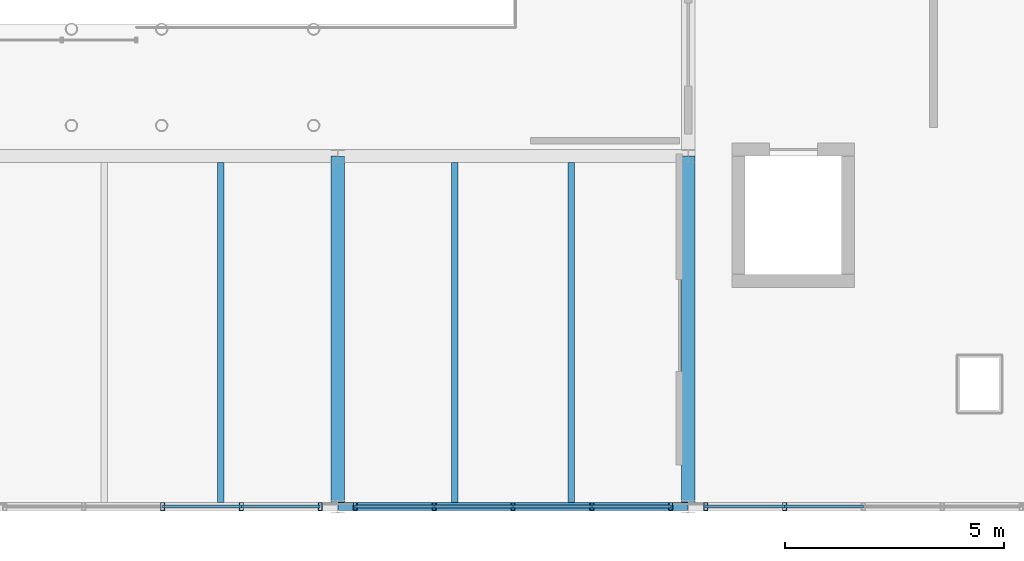
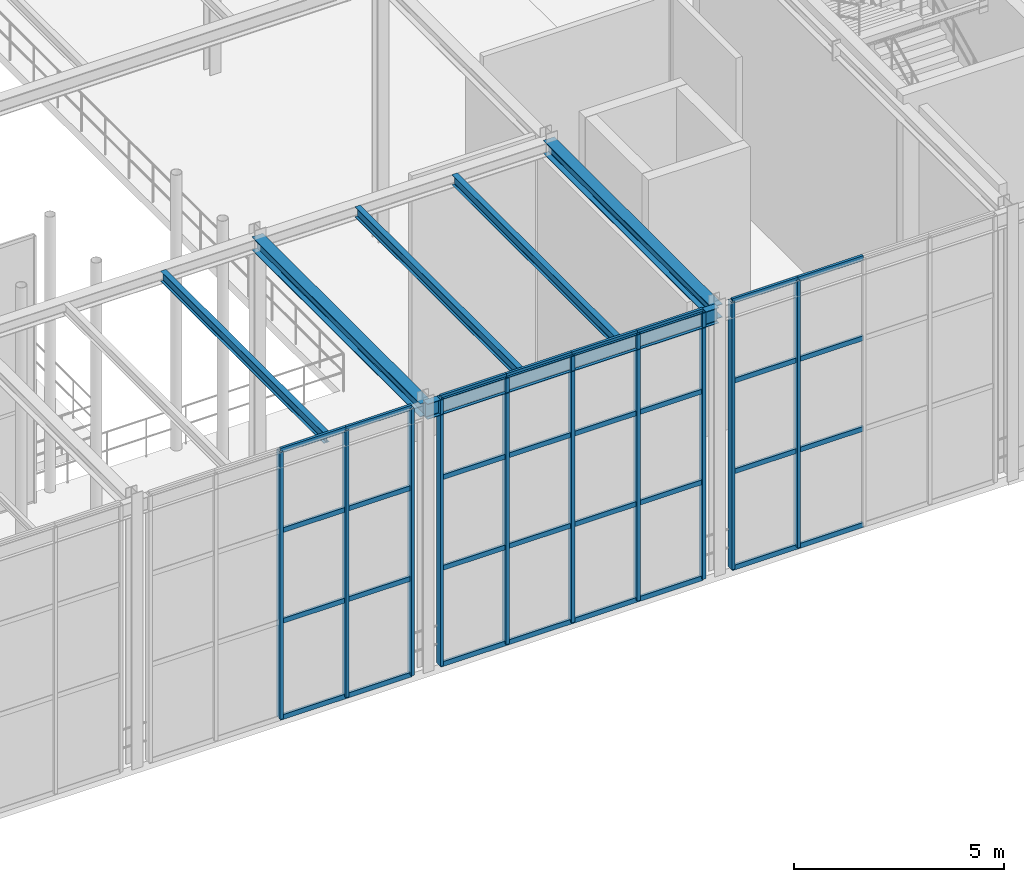
# One storey, part 42 of 138: 42 members, 6 beams, 3 elements without a shape of their own.
"""IFC4 building model written with IfcOpenShell, lengths in metres."""

from ifc_helpers import new_model, si_unit, direction, frame, origin, origin_2d, place, context, subcontext, project, spatial, hollow_rectangle, i_section, extrude, material, material_profile, profile_set, type_object, element, aggregate, save


model = new_model("IFC4")

# Units and contexts
model_context = context("Model", 3, precision=1e-05, world=origin(), true_north=direction((0.0, 1.0)))
body_context = subcontext(model_context, "Body", "Model", "MODEL_VIEW")
ifc_project = project(units=[si_unit("LENGTHUNIT", "METRE"), si_unit("AREAUNIT", "SQUARE_METRE"), si_unit("VOLUMEUNIT", "CUBIC_METRE"), si_unit("PLANEANGLEUNIT", "RADIAN"), si_unit("MASSUNIT", "GRAM", prefix="KILO")], contexts=[model_context])

# Site, building, storey
site_placement = place(None, origin())
site = spatial("IfcSite", under=ifc_project, at=site_placement, CompositionType="ELEMENT")
building_placement = place(site_placement, origin())
building = spatial("IfcBuilding", under=site, at=building_placement, Name="Sundkrona Museum", CompositionType="ELEMENT")
storey_placement = place(building_placement, frame((0.0, 0.0, 9.60009765625)))
storey = spatial("IfcBuildingStorey", under=building, at=storey_placement, Name="L02", CompositionType="ELEMENT", Elevation=9.60009765625)

# Beams
ifc_material_1 = material(Name="Steel S355J2", Category="steel")
ifc_material_profile_1 = material_profile(ifc_material_1, i_section(OverallWidth=0.300048828125, OverallDepth=0.389892578125, WebThickness=0.010986328125, FlangeThickness=0.01904296875, FilletRadius=0.027099609375, at=origin_2d()), Name="HEA 400")
ifc_profile_set_1 = profile_set([ifc_material_profile_1], Name="Steel S355J2")
beam_type_1 = type_object("IfcBeamType", Name="B-HEA400", PredefinedType="BEAM", material=ifc_profile_set_1)
for number, where, z_axis, x_axis, name in (
    (1, (104.0, 0.0, 7.544921875), (0.0, 1.0, 0.0), (-1.0, 0.0, 0.0), "L02 Girder Y-1319"),
    (2, (112.0, 0.0, 7.544921875), (0.0, 1.0, 0.0), (-1.0, 0.0, 0.0), "L02 Girder Y-1324"),
):
    element("IfcBeam", number, at=place(storey_placement, frame(where, z_axis=z_axis, x_axis=x_axis)), inside=storey, type_object=beam_type_1, Name=name, PredefinedType="BEAM", context=body_context, shape_type="SweptSolid", body=[
        extrude(i_section(OverallWidth=0.300048828125, OverallDepth=0.389892578125, WebThickness=0.010986328125, FlangeThickness=0.01904296875, FilletRadius=0.027099609375, at=origin_2d()), origin(), (0.0, 0.0, 1.0), 8.0),
    ])
ifc_material_profile_2 = material_profile(ifc_material_1, i_section(OverallWidth=0.14990234375, OverallDepth=0.300048828125, WebThickness=0.007080078125, FlangeThickness=0.0107421875, FilletRadius=0.014892578125, at=origin_2d()), Name="IPE 300")
ifc_profile_set_2 = profile_set([ifc_material_profile_2], Name="Steel S355J2")
beam_type_2 = type_object("IfcBeamType", Name="J-IPE300", PredefinedType="JOIST", material=ifc_profile_set_2)
for number, where, z_axis, x_axis, name in (
    (3, (101.333251953125, 0.089111328125, 7.58984375), (0.0, 1.0, 0.0), (-1.0, 0.0, 0.0), "L02 Composite Joist 0844"),
    (4, (106.666748046875, 0.089111328125, 7.58984375), (0.0, 1.0, 0.0), (-1.0, 0.0, 0.0), "L02 Composite Joist 0847"),
    (5, (109.333251953125, 0.089111328125, 7.58984375), (0.0, 1.0, 0.0), (-1.0, 0.0, 0.0), "L02 Composite Joist 0848"),
):
    element("IfcBeam", number, at=place(storey_placement, frame(where, z_axis=z_axis, x_axis=x_axis)), inside=storey, type_object=beam_type_2, Name=name, PredefinedType="JOIST", context=body_context, shape_type="SweptSolid", body=[
        extrude(i_section(OverallWidth=0.14990234375, OverallDepth=0.300048828125, WebThickness=0.007080078125, FlangeThickness=0.0107421875, FilletRadius=0.014892578125, at=origin_2d()), origin(), (0.0, 0.0, 1.0), 7.766845703125),
    ])

# Curtain wall, members
ifc_material_2 = material(Name="Unitised Aluminium-Steel and Ceramic-Clad Curtain Walling", Category="steel")
curtain_wall_type = type_object("IfcCurtainWallType", Name="CW-AT-72x74", PredefinedType="NOTDEFINED", material=ifc_material_2)
curtain_wall_1_placement = place(storey_placement, origin())
curtain_wall_1 = element("IfcCurtainWall", 6, at=curtain_wall_1_placement, inside=storey, type_object=curtain_wall_type, Name="L02 Curtain Wall CW-L02-045", PredefinedType="NOTDEFINED")
ifc_material_3 = material(Name="Aluminium EN AW-6060 T66", Category="aluminium")
ifc_material_profile_3 = material_profile(ifc_material_3, hollow_rectangle(XDim=0.090087890625, YDim=0.179931640625, WallThickness=0.00634765625, at=origin_2d()), Name="RHS 180x90x6.3")
ifc_profile_set_3 = profile_set([ifc_material_profile_3], Name="Aluminium EN AW-6060 T66")
member_type_1 = type_object("IfcMemberType", Name="ML-180", PredefinedType="MULLION", material=ifc_profile_set_3)
member_1_placement = place(storey_placement, frame((100.0, 0.0, -0.004150390625), z_axis=(0.0, 0.0, 1.0), x_axis=(1.0, 0.0, 0.0)))
member_1 = element("IfcMember", 7, at=member_1_placement, type_object=member_type_1, Name="CW-L02-045 Mullion 03", PredefinedType="MULLION", context=body_context, shape_type="SweptSolid", body=[
    extrude(hollow_rectangle(XDim=0.090087890625, YDim=0.179931640625, WallThickness=0.00634765625, at=origin_2d()), origin(), (0.0, 0.0, 1.0), 7.748046875),
])
member_2_placement = place(storey_placement, frame((101.800048828125, 0.0, -0.004150390625), z_axis=(0.0, 0.0, 1.0), x_axis=(1.0, 0.0, 0.0)))
member_2 = element("IfcMember", 8, at=member_2_placement, type_object=member_type_1, Name="CW-L02-045 Mullion 04", PredefinedType="MULLION", context=body_context, shape_type="SweptSolid", body=[
    extrude(hollow_rectangle(XDim=0.090087890625, YDim=0.179931640625, WallThickness=0.00634765625, at=origin_2d()), origin(), (0.0, 0.0, 1.0), 7.748046875),
])
member_3_placement = place(storey_placement, frame((103.60009765625, 0.0, -0.004150390625), z_axis=(0.0, 0.0, 1.0), x_axis=(1.0, 0.0, 0.0)))
member_3 = element("IfcMember", 9, at=member_3_placement, type_object=member_type_1, Name="CW-L02-045 Mullion 05", PredefinedType="MULLION", context=body_context, shape_type="SweptSolid", body=[
    extrude(hollow_rectangle(XDim=0.090087890625, YDim=0.179931640625, WallThickness=0.00634765625, at=origin_2d()), origin(), (0.0, 0.0, 1.0), 7.748046875),
])

curtain_wall_2_placement = place(storey_placement, origin())
curtain_wall_2 = element("IfcCurtainWall", 10, at=curtain_wall_2_placement, inside=storey, type_object=curtain_wall_type, Name="L02 Curtain Wall CW-L02-046", PredefinedType="NOTDEFINED")
member_4_placement = place(storey_placement, frame((104.39990234375, 0.0, -0.004150390625), z_axis=(0.0, 0.0, 1.0), x_axis=(1.0, 0.0, 0.0)))
member_4 = element("IfcMember", 11, at=member_4_placement, type_object=member_type_1, Name="CW-L02-046 Mullion 01", PredefinedType="MULLION", context=body_context, shape_type="SweptSolid", body=[
    extrude(hollow_rectangle(XDim=0.090087890625, YDim=0.179931640625, WallThickness=0.00634765625, at=origin_2d()), origin(), (0.0, 0.0, 1.0), 7.748046875),
])
member_5_placement = place(storey_placement, frame((106.199951171875, 0.0, -0.004150390625), z_axis=(0.0, 0.0, 1.0), x_axis=(1.0, 0.0, 0.0)))
member_5 = element("IfcMember", 12, at=member_5_placement, type_object=member_type_1, Name="CW-L02-046 Mullion 02", PredefinedType="MULLION", context=body_context, shape_type="SweptSolid", body=[
    extrude(hollow_rectangle(XDim=0.090087890625, YDim=0.179931640625, WallThickness=0.00634765625, at=origin_2d()), origin(), (0.0, 0.0, 1.0), 7.748046875),
])
member_6_placement = place(storey_placement, frame((108.0, 0.0, -0.004150390625), z_axis=(0.0, 0.0, 1.0), x_axis=(1.0, 0.0, 0.0)))
member_6 = element("IfcMember", 13, at=member_6_placement, type_object=member_type_1, Name="CW-L02-046 Mullion 03", PredefinedType="MULLION", context=body_context, shape_type="SweptSolid", body=[
    extrude(hollow_rectangle(XDim=0.090087890625, YDim=0.179931640625, WallThickness=0.00634765625, at=origin_2d()), origin(), (0.0, 0.0, 1.0), 7.748046875),
])
member_7_placement = place(storey_placement, frame((109.800048828125, 0.0, -0.004150390625), z_axis=(0.0, 0.0, 1.0), x_axis=(1.0, 0.0, 0.0)))
member_7 = element("IfcMember", 14, at=member_7_placement, type_object=member_type_1, Name="CW-L02-046 Mullion 04", PredefinedType="MULLION", context=body_context, shape_type="SweptSolid", body=[
    extrude(hollow_rectangle(XDim=0.090087890625, YDim=0.179931640625, WallThickness=0.00634765625, at=origin_2d()), origin(), (0.0, 0.0, 1.0), 7.748046875),
])
member_8_placement = place(storey_placement, frame((111.60009765625, 0.0, -0.004150390625), z_axis=(0.0, 0.0, 1.0), x_axis=(1.0, 0.0, 0.0)))
member_8 = element("IfcMember", 15, at=member_8_placement, type_object=member_type_1, Name="CW-L02-046 Mullion 05", PredefinedType="MULLION", context=body_context, shape_type="SweptSolid", body=[
    extrude(hollow_rectangle(XDim=0.090087890625, YDim=0.179931640625, WallThickness=0.00634765625, at=origin_2d()), origin(), (0.0, 0.0, 1.0), 7.748046875),
])

curtain_wall_3_placement = place(storey_placement, origin())
curtain_wall_3 = element("IfcCurtainWall", 16, at=curtain_wall_3_placement, inside=storey, type_object=curtain_wall_type, Name="L02 Curtain Wall CW-L02-047", PredefinedType="NOTDEFINED")
member_9_placement = place(storey_placement, frame((112.39990234375, 0.0, -0.004150390625), z_axis=(0.0, 0.0, 1.0), x_axis=(1.0, 0.0, 0.0)))
member_9 = element("IfcMember", 17, at=member_9_placement, type_object=member_type_1, Name="CW-L02-047 Mullion 01", PredefinedType="MULLION", context=body_context, shape_type="SweptSolid", body=[
    extrude(hollow_rectangle(XDim=0.090087890625, YDim=0.179931640625, WallThickness=0.00634765625, at=origin_2d()), origin(), (0.0, 0.0, 1.0), 7.748046875),
])
member_10_placement = place(storey_placement, frame((114.199951171875, 0.0, -0.004150390625), z_axis=(0.0, 0.0, 1.0), x_axis=(1.0, 0.0, 0.0)))
member_10 = element("IfcMember", 18, at=member_10_placement, type_object=member_type_1, Name="CW-L02-047 Mullion 02", PredefinedType="MULLION", context=body_context, shape_type="SweptSolid", body=[
    extrude(hollow_rectangle(XDim=0.090087890625, YDim=0.179931640625, WallThickness=0.00634765625, at=origin_2d()), origin(), (0.0, 0.0, 1.0), 7.748046875),
])

# Beam
ifc_material_profile_4 = material_profile(ifc_material_1, i_section(OverallWidth=0.18994140625, OverallDepth=0.449951171875, WebThickness=0.009521484375, FlangeThickness=0.0146484375, FilletRadius=0.02099609375, at=origin_2d()), Name="IPE 450")
ifc_profile_set_4 = profile_set([ifc_material_profile_4], Name="Steel S355J2")
beam_type_3 = type_object("IfcBeamType", Name="SP-IPE450", PredefinedType="SPANDREL", material=ifc_profile_set_4)
beam_placement = place(storey_placement, frame((104.0, 0.0, 7.514892578125), z_axis=(1.0, 0.0, 0.0), x_axis=(0.0, 1.0, 0.0)))
element("IfcBeam", 19, at=beam_placement, inside=storey, type_object=beam_type_3, Name="L02 Girder X-1125", PredefinedType="SPANDREL", context=body_context, shape_type="SweptSolid", body=[
    extrude(i_section(OverallWidth=0.18994140625, OverallDepth=0.449951171875, WebThickness=0.009521484375, FlangeThickness=0.0146484375, FilletRadius=0.02099609375, at=origin_2d()), origin(), (0.0, 0.0, 1.0), 8.0),
])

# Member
ifc_material_profile_5 = material_profile(ifc_material_3, hollow_rectangle(XDim=0.070068359375, YDim=0.139892578125, WallThickness=0.0048828125, at=origin_2d()), Name="RHS 140x70x5.0")
ifc_profile_set_5 = profile_set([ifc_material_profile_5], Name="Aluminium EN AW-6060 T66")
member_type_2 = type_object("IfcMemberType", Name="TR-140", PredefinedType="USERDEFINED", material=ifc_profile_set_5)
member_11_placement = place(storey_placement, frame((100.0, 0.0, -0.004150390625), z_axis=(1.0, 0.0, 0.0), x_axis=(0.0, 1.0, 0.0)))
member_11 = element("IfcMember", 20, at=member_11_placement, type_object=member_type_2, Name="CW-L02-045 Transom 09", ObjectType="TRANSOM", PredefinedType="USERDEFINED", context=body_context, shape_type="SweptSolid", body=[
    extrude(hollow_rectangle(XDim=0.070068359375, YDim=0.139892578125, WallThickness=0.0048828125, at=origin_2d()), origin(), (0.0, 0.0, 1.0), 1.800048828125),
])

member_12_placement = place(storey_placement, frame((100.0, 0.0, 2.785888671875), z_axis=(1.0, 0.0, 0.0), x_axis=(0.0, 1.0, 0.0)))
member_12 = element("IfcMember", 21, at=member_12_placement, type_object=member_type_2, Name="CW-L02-045 Transom 10", ObjectType="TRANSOM", PredefinedType="USERDEFINED", context=body_context, shape_type="SweptSolid", body=[
    extrude(hollow_rectangle(XDim=0.070068359375, YDim=0.139892578125, WallThickness=0.0048828125, at=origin_2d()), origin(), (0.0, 0.0, 1.0), 1.800048828125),
])

member_13_placement = place(storey_placement, frame((100.0, 0.0, 5.41796875), z_axis=(1.0, 0.0, 0.0), x_axis=(0.0, 1.0, 0.0)))
member_13 = element("IfcMember", 22, at=member_13_placement, type_object=member_type_2, Name="CW-L02-045 Transom 11", ObjectType="TRANSOM", PredefinedType="USERDEFINED", context=body_context, shape_type="SweptSolid", body=[
    extrude(hollow_rectangle(XDim=0.070068359375, YDim=0.139892578125, WallThickness=0.0048828125, at=origin_2d()), origin(), (0.0, 0.0, 1.0), 1.800048828125),
])

member_14_placement = place(storey_placement, frame((100.0, 0.0, 7.743896484375), z_axis=(1.0, 0.0, 0.0), x_axis=(0.0, 1.0, 0.0)))
member_14 = element("IfcMember", 23, at=member_14_placement, type_object=member_type_2, Name="CW-L02-045 Transom 12", ObjectType="TRANSOM", PredefinedType="USERDEFINED", context=body_context, shape_type="SweptSolid", body=[
    extrude(hollow_rectangle(XDim=0.070068359375, YDim=0.139892578125, WallThickness=0.0048828125, at=origin_2d()), origin(), (0.0, 0.0, 1.0), 1.800048828125),
])

member_15_placement = place(storey_placement, frame((101.800048828125, 0.0, -0.004150390625), z_axis=(1.0, 0.0, 0.0), x_axis=(0.0, 1.0, 0.0)))
member_15 = element("IfcMember", 24, at=member_15_placement, type_object=member_type_2, Name="CW-L02-045 Transom 13", ObjectType="TRANSOM", PredefinedType="USERDEFINED", context=body_context, shape_type="SweptSolid", body=[
    extrude(hollow_rectangle(XDim=0.070068359375, YDim=0.139892578125, WallThickness=0.0048828125, at=origin_2d()), origin(), (0.0, 0.0, 1.0), 1.800048828125),
])

member_16_placement = place(storey_placement, frame((101.800048828125, 0.0, 2.785888671875), z_axis=(1.0, 0.0, 0.0), x_axis=(0.0, 1.0, 0.0)))
member_16 = element("IfcMember", 25, at=member_16_placement, type_object=member_type_2, Name="CW-L02-045 Transom 14", ObjectType="TRANSOM", PredefinedType="USERDEFINED", context=body_context, shape_type="SweptSolid", body=[
    extrude(hollow_rectangle(XDim=0.070068359375, YDim=0.139892578125, WallThickness=0.0048828125, at=origin_2d()), origin(), (0.0, 0.0, 1.0), 1.800048828125),
])

member_17_placement = place(storey_placement, frame((101.800048828125, 0.0, 5.41796875), z_axis=(1.0, 0.0, 0.0), x_axis=(0.0, 1.0, 0.0)))
member_17 = element("IfcMember", 26, at=member_17_placement, type_object=member_type_2, Name="CW-L02-045 Transom 15", ObjectType="TRANSOM", PredefinedType="USERDEFINED", context=body_context, shape_type="SweptSolid", body=[
    extrude(hollow_rectangle(XDim=0.070068359375, YDim=0.139892578125, WallThickness=0.0048828125, at=origin_2d()), origin(), (0.0, 0.0, 1.0), 1.800048828125),
])

member_18_placement = place(storey_placement, frame((101.800048828125, 0.0, 7.743896484375), z_axis=(1.0, 0.0, 0.0), x_axis=(0.0, 1.0, 0.0)))
member_18 = element("IfcMember", 27, at=member_18_placement, type_object=member_type_2, Name="CW-L02-045 Transom 16", ObjectType="TRANSOM", PredefinedType="USERDEFINED", context=body_context, shape_type="SweptSolid", body=[
    extrude(hollow_rectangle(XDim=0.070068359375, YDim=0.139892578125, WallThickness=0.0048828125, at=origin_2d()), origin(), (0.0, 0.0, 1.0), 1.800048828125),
])

aggregate(curtain_wall_1, [member_1, member_2, member_3, member_11, member_12, member_13, member_14, member_15, member_16, member_17, member_18])

member_19_placement = place(storey_placement, frame((104.39990234375, 0.0, -0.004150390625), z_axis=(1.0, 0.0, 0.0), x_axis=(0.0, 1.0, 0.0)))
member_19 = element("IfcMember", 28, at=member_19_placement, type_object=member_type_2, Name="CW-L02-046 Transom 01", ObjectType="TRANSOM", PredefinedType="USERDEFINED", context=body_context, shape_type="SweptSolid", body=[
    extrude(hollow_rectangle(XDim=0.070068359375, YDim=0.139892578125, WallThickness=0.0048828125, at=origin_2d()), origin(), (0.0, 0.0, 1.0), 1.800048828125),
])

member_20_placement = place(storey_placement, frame((104.39990234375, 0.0, 2.785888671875), z_axis=(1.0, 0.0, 0.0), x_axis=(0.0, 1.0, 0.0)))
member_20 = element("IfcMember", 29, at=member_20_placement, type_object=member_type_2, Name="CW-L02-046 Transom 02", ObjectType="TRANSOM", PredefinedType="USERDEFINED", context=body_context, shape_type="SweptSolid", body=[
    extrude(hollow_rectangle(XDim=0.070068359375, YDim=0.139892578125, WallThickness=0.0048828125, at=origin_2d()), origin(), (0.0, 0.0, 1.0), 1.800048828125),
])

member_21_placement = place(storey_placement, frame((104.39990234375, 0.0, 5.41796875), z_axis=(1.0, 0.0, 0.0), x_axis=(0.0, 1.0, 0.0)))
member_21 = element("IfcMember", 30, at=member_21_placement, type_object=member_type_2, Name="CW-L02-046 Transom 03", ObjectType="TRANSOM", PredefinedType="USERDEFINED", context=body_context, shape_type="SweptSolid", body=[
    extrude(hollow_rectangle(XDim=0.070068359375, YDim=0.139892578125, WallThickness=0.0048828125, at=origin_2d()), origin(), (0.0, 0.0, 1.0), 1.800048828125),
])

member_22_placement = place(storey_placement, frame((104.39990234375, 0.0, 7.743896484375), z_axis=(1.0, 0.0, 0.0), x_axis=(0.0, 1.0, 0.0)))
member_22 = element("IfcMember", 31, at=member_22_placement, type_object=member_type_2, Name="CW-L02-046 Transom 04", ObjectType="TRANSOM", PredefinedType="USERDEFINED", context=body_context, shape_type="SweptSolid", body=[
    extrude(hollow_rectangle(XDim=0.070068359375, YDim=0.139892578125, WallThickness=0.0048828125, at=origin_2d()), origin(), (0.0, 0.0, 1.0), 1.800048828125),
])

member_23_placement = place(storey_placement, frame((106.199951171875, 0.0, -0.004150390625), z_axis=(1.0, 0.0, 0.0), x_axis=(0.0, 1.0, 0.0)))
member_23 = element("IfcMember", 32, at=member_23_placement, type_object=member_type_2, Name="CW-L02-046 Transom 05", ObjectType="TRANSOM", PredefinedType="USERDEFINED", context=body_context, shape_type="SweptSolid", body=[
    extrude(hollow_rectangle(XDim=0.070068359375, YDim=0.139892578125, WallThickness=0.0048828125, at=origin_2d()), origin(), (0.0, 0.0, 1.0), 1.800048828125),
])

member_24_placement = place(storey_placement, frame((106.199951171875, 0.0, 2.785888671875), z_axis=(1.0, 0.0, 0.0), x_axis=(0.0, 1.0, 0.0)))
member_24 = element("IfcMember", 33, at=member_24_placement, type_object=member_type_2, Name="CW-L02-046 Transom 06", ObjectType="TRANSOM", PredefinedType="USERDEFINED", context=body_context, shape_type="SweptSolid", body=[
    extrude(hollow_rectangle(XDim=0.070068359375, YDim=0.139892578125, WallThickness=0.0048828125, at=origin_2d()), origin(), (0.0, 0.0, 1.0), 1.800048828125),
])

member_25_placement = place(storey_placement, frame((106.199951171875, 0.0, 5.41796875), z_axis=(1.0, 0.0, 0.0), x_axis=(0.0, 1.0, 0.0)))
member_25 = element("IfcMember", 34, at=member_25_placement, type_object=member_type_2, Name="CW-L02-046 Transom 07", ObjectType="TRANSOM", PredefinedType="USERDEFINED", context=body_context, shape_type="SweptSolid", body=[
    extrude(hollow_rectangle(XDim=0.070068359375, YDim=0.139892578125, WallThickness=0.0048828125, at=origin_2d()), origin(), (0.0, 0.0, 1.0), 1.800048828125),
])

member_26_placement = place(storey_placement, frame((106.199951171875, 0.0, 7.743896484375), z_axis=(1.0, 0.0, 0.0), x_axis=(0.0, 1.0, 0.0)))
member_26 = element("IfcMember", 35, at=member_26_placement, type_object=member_type_2, Name="CW-L02-046 Transom 08", ObjectType="TRANSOM", PredefinedType="USERDEFINED", context=body_context, shape_type="SweptSolid", body=[
    extrude(hollow_rectangle(XDim=0.070068359375, YDim=0.139892578125, WallThickness=0.0048828125, at=origin_2d()), origin(), (0.0, 0.0, 1.0), 1.800048828125),
])

member_27_placement = place(storey_placement, frame((108.0, 0.0, -0.004150390625), z_axis=(1.0, 0.0, 0.0), x_axis=(0.0, 1.0, 0.0)))
member_27 = element("IfcMember", 36, at=member_27_placement, type_object=member_type_2, Name="CW-L02-046 Transom 09", ObjectType="TRANSOM", PredefinedType="USERDEFINED", context=body_context, shape_type="SweptSolid", body=[
    extrude(hollow_rectangle(XDim=0.070068359375, YDim=0.139892578125, WallThickness=0.0048828125, at=origin_2d()), origin(), (0.0, 0.0, 1.0), 1.800048828125),
])

member_28_placement = place(storey_placement, frame((108.0, 0.0, 2.785888671875), z_axis=(1.0, 0.0, 0.0), x_axis=(0.0, 1.0, 0.0)))
member_28 = element("IfcMember", 37, at=member_28_placement, type_object=member_type_2, Name="CW-L02-046 Transom 10", ObjectType="TRANSOM", PredefinedType="USERDEFINED", context=body_context, shape_type="SweptSolid", body=[
    extrude(hollow_rectangle(XDim=0.070068359375, YDim=0.139892578125, WallThickness=0.0048828125, at=origin_2d()), origin(), (0.0, 0.0, 1.0), 1.800048828125),
])

member_29_placement = place(storey_placement, frame((108.0, 0.0, 5.41796875), z_axis=(1.0, 0.0, 0.0), x_axis=(0.0, 1.0, 0.0)))
member_29 = element("IfcMember", 38, at=member_29_placement, type_object=member_type_2, Name="CW-L02-046 Transom 11", ObjectType="TRANSOM", PredefinedType="USERDEFINED", context=body_context, shape_type="SweptSolid", body=[
    extrude(hollow_rectangle(XDim=0.070068359375, YDim=0.139892578125, WallThickness=0.0048828125, at=origin_2d()), origin(), (0.0, 0.0, 1.0), 1.800048828125),
])

member_30_placement = place(storey_placement, frame((108.0, 0.0, 7.743896484375), z_axis=(1.0, 0.0, 0.0), x_axis=(0.0, 1.0, 0.0)))
member_30 = element("IfcMember", 39, at=member_30_placement, type_object=member_type_2, Name="CW-L02-046 Transom 12", ObjectType="TRANSOM", PredefinedType="USERDEFINED", context=body_context, shape_type="SweptSolid", body=[
    extrude(hollow_rectangle(XDim=0.070068359375, YDim=0.139892578125, WallThickness=0.0048828125, at=origin_2d()), origin(), (0.0, 0.0, 1.0), 1.800048828125),
])

member_31_placement = place(storey_placement, frame((109.800048828125, 0.0, -0.004150390625), z_axis=(1.0, 0.0, 0.0), x_axis=(0.0, 1.0, 0.0)))
member_31 = element("IfcMember", 40, at=member_31_placement, type_object=member_type_2, Name="CW-L02-046 Transom 13", ObjectType="TRANSOM", PredefinedType="USERDEFINED", context=body_context, shape_type="SweptSolid", body=[
    extrude(hollow_rectangle(XDim=0.070068359375, YDim=0.139892578125, WallThickness=0.0048828125, at=origin_2d()), origin(), (0.0, 0.0, 1.0), 1.800048828125),
])

member_32_placement = place(storey_placement, frame((109.800048828125, 0.0, 2.785888671875), z_axis=(1.0, 0.0, 0.0), x_axis=(0.0, 1.0, 0.0)))
member_32 = element("IfcMember", 41, at=member_32_placement, type_object=member_type_2, Name="CW-L02-046 Transom 14", ObjectType="TRANSOM", PredefinedType="USERDEFINED", context=body_context, shape_type="SweptSolid", body=[
    extrude(hollow_rectangle(XDim=0.070068359375, YDim=0.139892578125, WallThickness=0.0048828125, at=origin_2d()), origin(), (0.0, 0.0, 1.0), 1.800048828125),
])

member_33_placement = place(storey_placement, frame((109.800048828125, 0.0, 5.41796875), z_axis=(1.0, 0.0, 0.0), x_axis=(0.0, 1.0, 0.0)))
member_33 = element("IfcMember", 42, at=member_33_placement, type_object=member_type_2, Name="CW-L02-046 Transom 15", ObjectType="TRANSOM", PredefinedType="USERDEFINED", context=body_context, shape_type="SweptSolid", body=[
    extrude(hollow_rectangle(XDim=0.070068359375, YDim=0.139892578125, WallThickness=0.0048828125, at=origin_2d()), origin(), (0.0, 0.0, 1.0), 1.800048828125),
])

member_34_placement = place(storey_placement, frame((109.800048828125, 0.0, 7.743896484375), z_axis=(1.0, 0.0, 0.0), x_axis=(0.0, 1.0, 0.0)))
member_34 = element("IfcMember", 43, at=member_34_placement, type_object=member_type_2, Name="CW-L02-046 Transom 16", ObjectType="TRANSOM", PredefinedType="USERDEFINED", context=body_context, shape_type="SweptSolid", body=[
    extrude(hollow_rectangle(XDim=0.070068359375, YDim=0.139892578125, WallThickness=0.0048828125, at=origin_2d()), origin(), (0.0, 0.0, 1.0), 1.800048828125),
])

aggregate(curtain_wall_2, [member_4, member_5, member_6, member_7, member_8, member_19, member_20, member_21, member_22, member_23, member_24, member_25, member_26, member_27, member_28, member_29, member_30, member_31, member_32, member_33, member_34])

member_35_placement = place(storey_placement, frame((112.39990234375, 0.0, -0.004150390625), z_axis=(1.0, 0.0, 0.0), x_axis=(0.0, 1.0, 0.0)))
member_35 = element("IfcMember", 44, at=member_35_placement, type_object=member_type_2, Name="CW-L02-047 Transom 01", ObjectType="TRANSOM", PredefinedType="USERDEFINED", context=body_context, shape_type="SweptSolid", body=[
    extrude(hollow_rectangle(XDim=0.070068359375, YDim=0.139892578125, WallThickness=0.0048828125, at=origin_2d()), origin(), (0.0, 0.0, 1.0), 1.800048828125),
])

member_36_placement = place(storey_placement, frame((112.39990234375, 0.0, 2.785888671875), z_axis=(1.0, 0.0, 0.0), x_axis=(0.0, 1.0, 0.0)))
member_36 = element("IfcMember", 45, at=member_36_placement, type_object=member_type_2, Name="CW-L02-047 Transom 02", ObjectType="TRANSOM", PredefinedType="USERDEFINED", context=body_context, shape_type="SweptSolid", body=[
    extrude(hollow_rectangle(XDim=0.070068359375, YDim=0.139892578125, WallThickness=0.0048828125, at=origin_2d()), origin(), (0.0, 0.0, 1.0), 1.800048828125),
])

member_37_placement = place(storey_placement, frame((112.39990234375, 0.0, 5.41796875), z_axis=(1.0, 0.0, 0.0), x_axis=(0.0, 1.0, 0.0)))
member_37 = element("IfcMember", 46, at=member_37_placement, type_object=member_type_2, Name="CW-L02-047 Transom 03", ObjectType="TRANSOM", PredefinedType="USERDEFINED", context=body_context, shape_type="SweptSolid", body=[
    extrude(hollow_rectangle(XDim=0.070068359375, YDim=0.139892578125, WallThickness=0.0048828125, at=origin_2d()), origin(), (0.0, 0.0, 1.0), 1.800048828125),
])

member_38_placement = place(storey_placement, frame((112.39990234375, 0.0, 7.743896484375), z_axis=(1.0, 0.0, 0.0), x_axis=(0.0, 1.0, 0.0)))
member_38 = element("IfcMember", 47, at=member_38_placement, type_object=member_type_2, Name="CW-L02-047 Transom 04", ObjectType="TRANSOM", PredefinedType="USERDEFINED", context=body_context, shape_type="SweptSolid", body=[
    extrude(hollow_rectangle(XDim=0.070068359375, YDim=0.139892578125, WallThickness=0.0048828125, at=origin_2d()), origin(), (0.0, 0.0, 1.0), 1.800048828125),
])

member_39_placement = place(storey_placement, frame((114.199951171875, 0.0, -0.004150390625), z_axis=(1.0, 0.0, 0.0), x_axis=(0.0, 1.0, 0.0)))
member_39 = element("IfcMember", 48, at=member_39_placement, type_object=member_type_2, Name="CW-L02-047 Transom 05", ObjectType="TRANSOM", PredefinedType="USERDEFINED", context=body_context, shape_type="SweptSolid", body=[
    extrude(hollow_rectangle(XDim=0.070068359375, YDim=0.139892578125, WallThickness=0.0048828125, at=origin_2d()), origin(), (0.0, 0.0, 1.0), 1.800048828125),
])

member_40_placement = place(storey_placement, frame((114.199951171875, 0.0, 2.785888671875), z_axis=(1.0, 0.0, 0.0), x_axis=(0.0, 1.0, 0.0)))
member_40 = element("IfcMember", 49, at=member_40_placement, type_object=member_type_2, Name="CW-L02-047 Transom 06", ObjectType="TRANSOM", PredefinedType="USERDEFINED", context=body_context, shape_type="SweptSolid", body=[
    extrude(hollow_rectangle(XDim=0.070068359375, YDim=0.139892578125, WallThickness=0.0048828125, at=origin_2d()), origin(), (0.0, 0.0, 1.0), 1.800048828125),
])

member_41_placement = place(storey_placement, frame((114.199951171875, 0.0, 5.41796875), z_axis=(1.0, 0.0, 0.0), x_axis=(0.0, 1.0, 0.0)))
member_41 = element("IfcMember", 50, at=member_41_placement, type_object=member_type_2, Name="CW-L02-047 Transom 07", ObjectType="TRANSOM", PredefinedType="USERDEFINED", context=body_context, shape_type="SweptSolid", body=[
    extrude(hollow_rectangle(XDim=0.070068359375, YDim=0.139892578125, WallThickness=0.0048828125, at=origin_2d()), origin(), (0.0, 0.0, 1.0), 1.800048828125),
])

member_42_placement = place(storey_placement, frame((114.199951171875, 0.0, 7.743896484375), z_axis=(1.0, 0.0, 0.0), x_axis=(0.0, 1.0, 0.0)))
member_42 = element("IfcMember", 51, at=member_42_placement, type_object=member_type_2, Name="CW-L02-047 Transom 08", ObjectType="TRANSOM", PredefinedType="USERDEFINED", context=body_context, shape_type="SweptSolid", body=[
    extrude(hollow_rectangle(XDim=0.070068359375, YDim=0.139892578125, WallThickness=0.0048828125, at=origin_2d()), origin(), (0.0, 0.0, 1.0), 1.800048828125),
])

aggregate(curtain_wall_3, [member_9, member_10, member_35, member_36, member_37, member_38, member_39, member_40, member_41, member_42])

save(model, "model.ifc")
